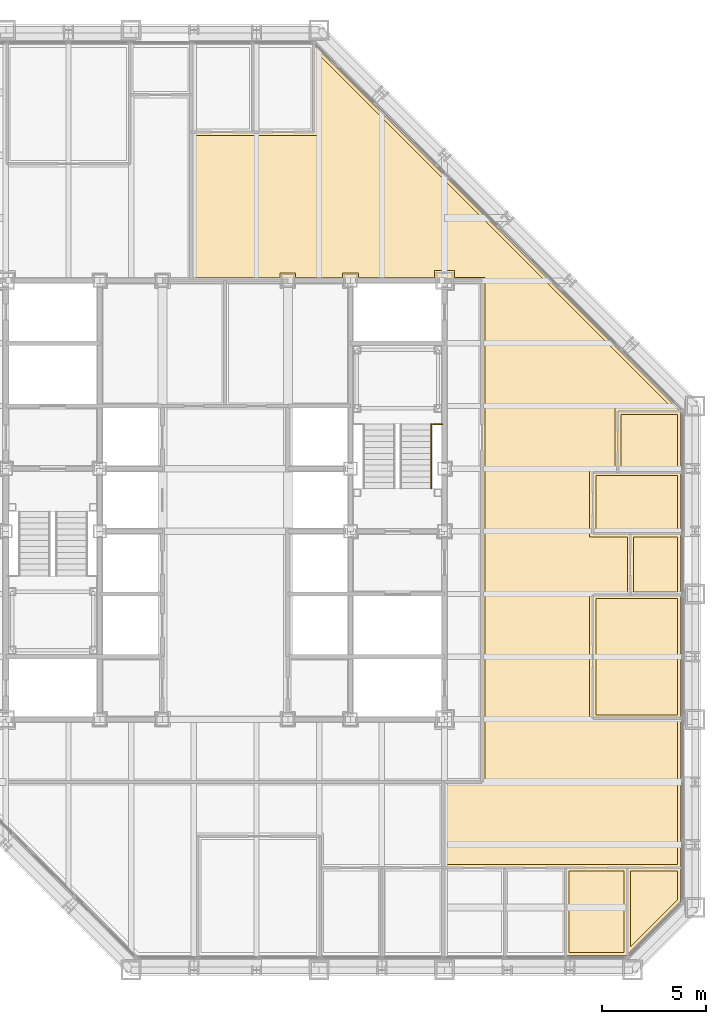
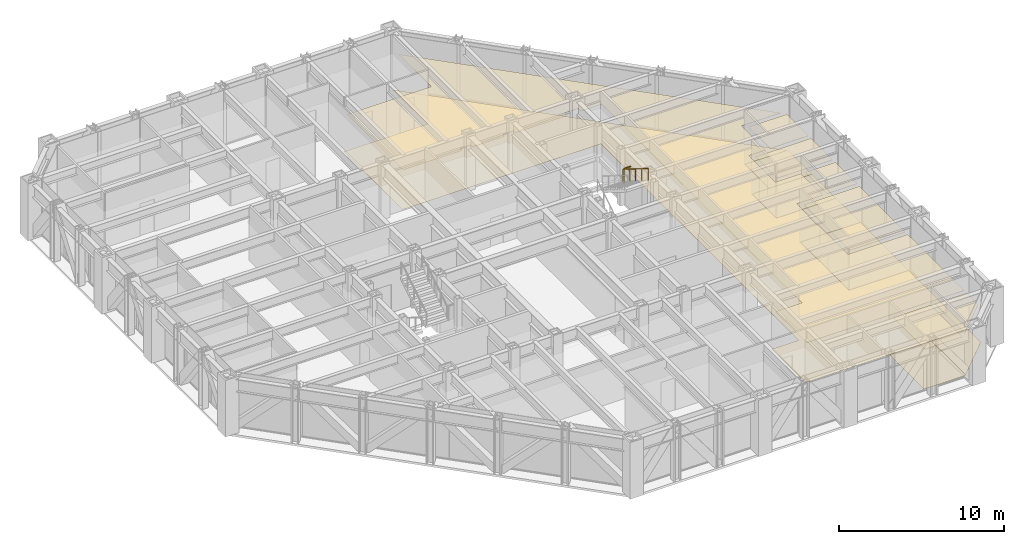
# One storey, part 15 of 16: 14 coverings, 2 railings.
"""IFC4 building model written with IfcOpenShell, lengths in metres."""

from ifc_helpers import new_model, si_unit, direction, frame, origin, origin_2d, place, context, subcontext, project, spatial, polyline, circle, outline, extrude, material, layer, layer_set, type_object, element, save


model = new_model("IFC4")

# Units and contexts
model_context = context("Model", 3, precision=1e-05, world=origin(), true_north=direction((0.0, 1.0)))
body_context = subcontext(model_context, "Body", "Model", "MODEL_VIEW")
ifc_project = project(units=[si_unit("LENGTHUNIT", "METRE"), si_unit("AREAUNIT", "SQUARE_METRE"), si_unit("VOLUMEUNIT", "CUBIC_METRE"), si_unit("PLANEANGLEUNIT", "RADIAN"), si_unit("MASSUNIT", "GRAM", prefix="KILO")], contexts=[model_context])

# Site, building, storey
site_placement = place(None, origin())
site = spatial("IfcSite", under=ifc_project, at=site_placement, CompositionType="ELEMENT")
building_placement = place(site_placement, origin())
building = spatial("IfcBuilding", under=site, at=building_placement, Name="Chuquiago Exchange Tower", CompositionType="ELEMENT")
storey_placement = place(building_placement, frame((0.0, 0.0, 161.39990234375)))
storey = spatial("IfcBuildingStorey", under=building, at=storey_placement, Name="L35", CompositionType="ELEMENT", Elevation=161.39990234375)

# Coverings
ifc_material_1 = material(Name="Mineral fibre tile, 600 x 600, on pale metal grid", Category="mineral fibre")
ifc_layer_1 = layer(ifc_material_1, 0.02001953125)
ifc_layer_set_1 = layer_set([ifc_layer_1], Name="CL1 suspended tile ceiling 20")
covering_type_1 = type_object("IfcCoveringType", Name="CL1 suspended tile ceiling 20", PredefinedType="CEILING", material=ifc_layer_set_1)
covering_1_placement = place(storey_placement, frame((0.0, 0.0, 2.800048828125)))
element("IfcCovering", 1, at=covering_1_placement, inside=storey, type_object=covering_type_1, Name="Ceiling Office", PredefinedType="CEILING", context=body_context, shape_type="SweptSolid", body=[
    extrude(outline(polyline([(38.963623046875, 0.85009765625), (38.963623046875, 4.75), (41.6015625, 4.75), (41.6015625, 0.85009765625), (38.963623046875, 0.85009765625)])), origin(), (0.0, 0.0, 1.0), 0.02001953125),
])
covering_2_placement = place(storey_placement, frame((0.0, 0.0, 2.800048828125)))
element("IfcCovering", 2, at=covering_2_placement, inside=storey, type_object=covering_type_1, Name="Ceiling Meeting room", PredefinedType="CEILING", context=body_context, shape_type="SweptSolid", body=[
    extrude(outline(polyline([(41.901611328125, 1.103515625), (41.901611328125, 4.75), (44.14990234375, 4.75), (44.14990234375, 3.35205078125), (41.901611328125, 1.103515625)])), origin(), (0.0, 0.0, 1.0), 0.02001953125),
])
covering_3_placement = place(storey_placement, frame((0.0, 0.0, 2.800048828125)))
element("IfcCovering", 3, at=covering_3_placement, inside=storey, type_object=covering_type_1, Name="Ceiling Meeting room", PredefinedType="CEILING", context=body_context, shape_type="SweptSolid", body=[
    extrude(outline(polyline([(40.25, 12.212158203125), (40.25, 17.787841796875), (44.14990234375, 17.787841796875), (44.14990234375, 12.212158203125), (40.25, 12.212158203125)])), origin(), (0.0, 0.0, 1.0), 0.02001953125),
])
covering_4_placement = place(storey_placement, frame((0.0, 0.0, 2.800048828125)))
element("IfcCovering", 4, at=covering_4_placement, inside=storey, type_object=covering_type_1, Name="Ceiling Focus room", PredefinedType="CEILING", context=body_context, shape_type="SweptSolid", body=[
    extrude(outline(polyline([(42.050048828125, 18.087890625), (42.050048828125, 20.7255859375), (44.14990234375, 20.7255859375), (44.14990234375, 18.087890625), (42.050048828125, 18.087890625)])), origin(), (0.0, 0.0, 1.0), 0.02001953125),
])
covering_5_placement = place(storey_placement, frame((0.0, 0.0, 2.800048828125)))
element("IfcCovering", 5, at=covering_5_placement, inside=storey, type_object=covering_type_1, Name="Ceiling Office", PredefinedType="CEILING", context=body_context, shape_type="SweptSolid", body=[
    extrude(outline(polyline([(40.25, 21.025634765625), (40.25, 23.66357421875), (44.14990234375, 23.66357421875), (44.14990234375, 21.025634765625), (40.25, 21.025634765625)])), origin(), (0.0, 0.0, 1.0), 0.02001953125),
])
covering_6_placement = place(storey_placement, frame((0.0, 0.0, 2.800048828125)))
element("IfcCovering", 6, at=covering_6_placement, inside=storey, type_object=covering_type_1, Name="Ceiling Pantry", PredefinedType="CEILING", context=body_context, shape_type="SweptSolid", body=[
    extrude(outline(polyline([(44.14990234375, 23.963623046875), (41.449951171875, 23.963623046875), (41.449951171875, 26.6015625), (44.14990234375, 26.6015625), (44.14990234375, 23.963623046875)])), origin(), (0.0, 0.0, 1.0), 0.02001953125),
])
covering_7_placement = place(storey_placement, frame((0.0, 0.0, 2.800048828125)))
element("IfcCovering", 7, at=covering_7_placement, inside=storey, type_object=covering_type_1, Name="Ceiling Open office east suite", PredefinedType="CEILING", context=body_context, shape_type="SweptSolid", body=[
    extrude(outline(polyline([(26.901611328125, 39.949951171875), (26.901611328125, 43.896484375), (43.896484375, 26.901611328125), (41.14990234375, 26.901611328125), (41.14990234375, 23.963623046875), (39.949951171875, 23.963623046875), (39.949951171875, 20.7255859375), (41.75, 20.7255859375), (41.75, 18.087890625), (39.949951171875, 18.087890625), (39.949951171875, 11.912109375), (44.14990234375, 11.912109375), (44.14990234375, 5.050048828125), (33.08837890625, 5.050048828125), (33.08837890625, 8.849609375), (34.950439453125, 8.85009765625), (34.950439453125, 33.150146484375), (33.47509765625, 33.150146484375), (33.47509765625, 33.47509765625), (32.52490234375, 33.47509765625), (32.52490234375, 33.150146484375), (28.875, 33.150146484375), (28.875, 33.375), (28.125, 33.375), (28.125, 33.150146484375), (25.875, 33.14990234375), (25.875, 33.375), (25.125, 33.375), (25.125, 33.14990234375), (21.026123046875, 33.14990234375), (21.026123046875, 39.949951171875), (26.901611328125, 39.949951171875)])), origin(), (0.0, 0.0, 1.0), 0.02001953125),
])
ifc_material_2 = material(Name="Carpet tile, 500 x 500, on the floor slab", Category="textile")
ifc_layer_2 = layer(ifc_material_2, 0.010009765625)
ifc_layer_set_2 = layer_set([ifc_layer_2], Name="FL1 carpet tile 10")
covering_type_2 = type_object("IfcCoveringType", Name="FL1 carpet tile 10", PredefinedType="FLOORING", material=ifc_layer_set_2)
covering_8_placement = place(storey_placement, origin())
element("IfcCovering", 8, at=covering_8_placement, inside=storey, type_object=covering_type_2, Name="Floor finish Office", PredefinedType="FLOORING", context=body_context, shape_type="SweptSolid", body=[
    extrude(outline(polyline([(41.710205078125, 0.699951171875), (38.813720703125, 0.699951171875), (38.813720703125, 4.89990234375), (41.75146484375, 4.89990234375), (41.75146484375, 0.741455078125), (41.710205078125, 0.699951171875)])), origin(), (0.0, 0.0, 1.0), 0.010009765625),
])
covering_9_placement = place(storey_placement, origin())
element("IfcCovering", 9, at=covering_9_placement, inside=storey, type_object=covering_type_2, Name="Floor finish Meeting room", PredefinedType="FLOORING", context=body_context, shape_type="SweptSolid", body=[
    extrude(outline(polyline([(44.300048828125, 3.289794921875), (41.75146484375, 0.741455078125), (41.75146484375, 4.89990234375), (44.300048828125, 4.89990234375), (44.300048828125, 3.289794921875)])), origin(), (0.0, 0.0, 1.0), 0.010009765625),
])
covering_10_placement = place(storey_placement, origin())
element("IfcCovering", 10, at=covering_10_placement, inside=storey, type_object=covering_type_2, Name="Floor finish Meeting room", PredefinedType="FLOORING", context=body_context, shape_type="SweptSolid", body=[
    extrude(outline(polyline([(44.300048828125, 12.06201171875), (40.10009765625, 12.06201171875), (40.10009765625, 17.93798828125), (44.300048828125, 17.93798828125), (44.300048828125, 12.06201171875)])), origin(), (0.0, 0.0, 1.0), 0.010009765625),
])
covering_11_placement = place(storey_placement, origin())
element("IfcCovering", 11, at=covering_11_placement, inside=storey, type_object=covering_type_2, Name="Floor finish Focus room", PredefinedType="FLOORING", context=body_context, shape_type="SweptSolid", body=[
    extrude(outline(polyline([(44.300048828125, 17.93798828125), (41.89990234375, 17.93798828125), (41.89990234375, 20.875732421875), (44.300048828125, 20.875732421875), (44.300048828125, 17.93798828125)])), origin(), (0.0, 0.0, 1.0), 0.010009765625),
])
covering_12_placement = place(storey_placement, origin())
element("IfcCovering", 12, at=covering_12_placement, inside=storey, type_object=covering_type_2, Name="Floor finish Office", PredefinedType="FLOORING", context=body_context, shape_type="SweptSolid", body=[
    extrude(outline(polyline([(44.300048828125, 20.875732421875), (40.10009765625, 20.875732421875), (40.10009765625, 23.813720703125), (44.300048828125, 23.813720703125), (44.300048828125, 20.875732421875)])), origin(), (0.0, 0.0, 1.0), 0.010009765625),
])
covering_13_placement = place(storey_placement, origin())
element("IfcCovering", 13, at=covering_13_placement, inside=storey, type_object=covering_type_2, Name="Floor finish Open office east suite", PredefinedType="FLOORING", context=body_context, shape_type="SweptSolid", body=[
    extrude(outline(polyline([(20.876220703125, 40.10009765625), (26.75146484375, 40.10009765625), (26.75146484375, 44.258544921875), (44.258544921875, 26.75146484375), (41.300048828125, 26.75146484375), (41.300048828125, 23.813720703125), (40.10009765625, 23.813720703125), (40.10009765625, 20.875732421875), (41.89990234375, 20.875732421875), (41.89990234375, 17.93798828125), (40.10009765625, 17.93798828125), (40.10009765625, 12.06201171875), (44.300048828125, 12.06201171875), (44.300048828125, 4.89990234375), (32.9384765625, 4.89990234375), (32.9384765625, 8.99951171875), (34.800537109375, 9.0), (34.800537109375, 33.0), (20.876220703125, 33.0), (20.876220703125, 40.10009765625)])), origin(), (0.0, 0.0, 1.0), 0.010009765625),
])
ifc_material_3 = material(Name="Porcelain floor tile, 600 x 600, on adhesive bed", Category="ceramic")
ifc_layer_3 = layer(ifc_material_3, 0.014892578125)
ifc_layer_set_3 = layer_set([ifc_layer_3], Name="FL2 porcelain tile 15")
covering_type_3 = type_object("IfcCoveringType", Name="FL2 porcelain tile 15", PredefinedType="FLOORING", material=ifc_layer_set_3)
covering_14_placement = place(storey_placement, origin())
element("IfcCovering", 14, at=covering_14_placement, inside=storey, type_object=covering_type_3, Name="Floor finish Pantry", PredefinedType="FLOORING", context=body_context, shape_type="SweptSolid", body=[
    extrude(outline(polyline([(44.300048828125, 26.710205078125), (44.300048828125, 23.813720703125), (41.300048828125, 23.813720703125), (41.300048828125, 26.75146484375), (44.258544921875, 26.75146484375), (44.300048828125, 26.710205078125)])), origin(), (0.0, 0.0, 1.0), 0.01513671875),
])

# Railings
ifc_material_4 = material(Name="Pale metal guard with safety glass infill", Category="glass")
railing_type_1 = type_object("IfcRailingType", Name="GR1 guard 1100", PredefinedType="GUARDRAIL", material=ifc_material_4)
railing_1_placement = place(storey_placement, frame((32.445068359375, 26.1298828125, 2.10009765625)))
element("IfcRailing", 15, at=railing_1_placement, inside=storey, type_object=railing_type_1, Name="Guard ST2 L35 landing 2", PredefinedType="GUARDRAIL", context=body_context, shape_type="SweptSolid", body=[
    extrude(circle(Radius=0.02392578125, at=origin_2d()), frame((0.0, 0.0, 1.076171875), z_axis=(1.0, 0.0, 0.0), x_axis=(0.0, 1.0, 0.0)), (0.0, 0.0, 1.0), 0.454833984375),
    extrude(circle(Radius=0.02099609375, at=origin_2d()), origin(), (0.0, 0.0, 1.0), 1.052001953125),
    extrude(circle(Radius=0.02099609375, at=origin_2d()), frame((0.454833984375, 0.0, 0.0)), (0.0, 0.0, 1.0), 1.052001953125),
])
ifc_material_5 = material(Name="Pale metal handrail", Category="steel")
railing_type_2 = type_object("IfcRailingType", Name="HR1 handrail 900", PredefinedType="HANDRAIL", material=ifc_material_5)
railing_2_placement = place(storey_placement, frame((32.364990234375, 26.1298828125, 2.275146484375)))
element("IfcRailing", 16, at=railing_2_placement, inside=storey, type_object=railing_type_2, Name="Handrail ST2 L35 flight 2", PredefinedType="HANDRAIL", context=body_context, shape_type="SweptSolid", body=[
    extrude(circle(Radius=0.02392578125, at=origin_2d()), frame((0.0, 0.0, 0.8759765625), z_axis=(0.0, -0.847979421464, 0.530029150871), x_axis=(1.0, 0.0, 0.0)), (0.0, 0.0, 1.0), 3.632080078125),
    extrude(circle(Radius=0.02099609375, at=origin_2d()), origin(), (0.0, 0.0, 1.0), 0.851806640625),
    extrude(circle(Radius=0.02099609375, at=origin_2d()), frame((0.0, -0.77001953125, 0.481201171875)), (0.0, 0.0, 1.0), 0.851806640625),
    extrude(circle(Radius=0.02099609375, at=origin_2d()), frame((0.0, -1.5400390625, 0.96240234375)), (0.0, 0.0, 1.0), 0.851806640625),
    extrude(circle(Radius=0.02099609375, at=origin_2d()), frame((0.0, -2.309814453125, 1.44384765625)), (0.0, 0.0, 1.0), 0.851806640625),
    extrude(circle(Radius=0.02099609375, at=origin_2d()), frame((0.0, -3.079833984375, 1.925048828125)), (0.0, 0.0, 1.0), 0.851806640625),
])

save(model, "model.ifc")
